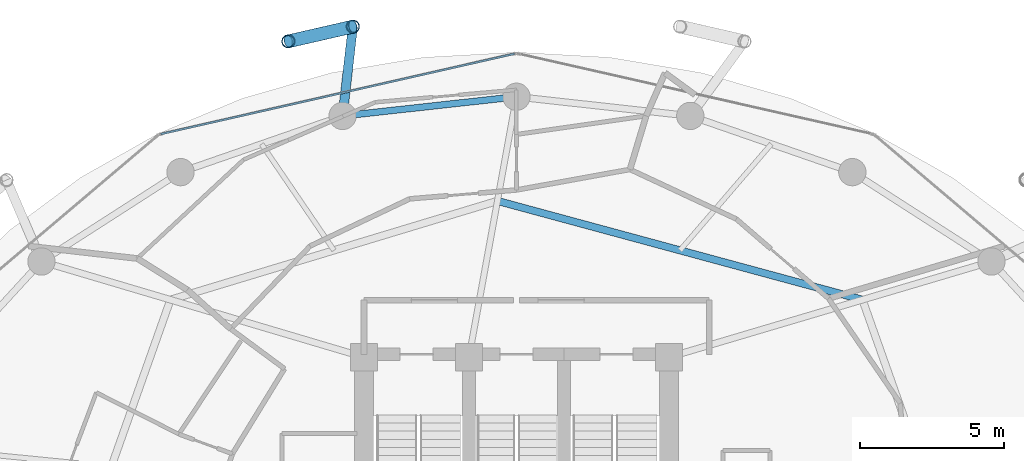
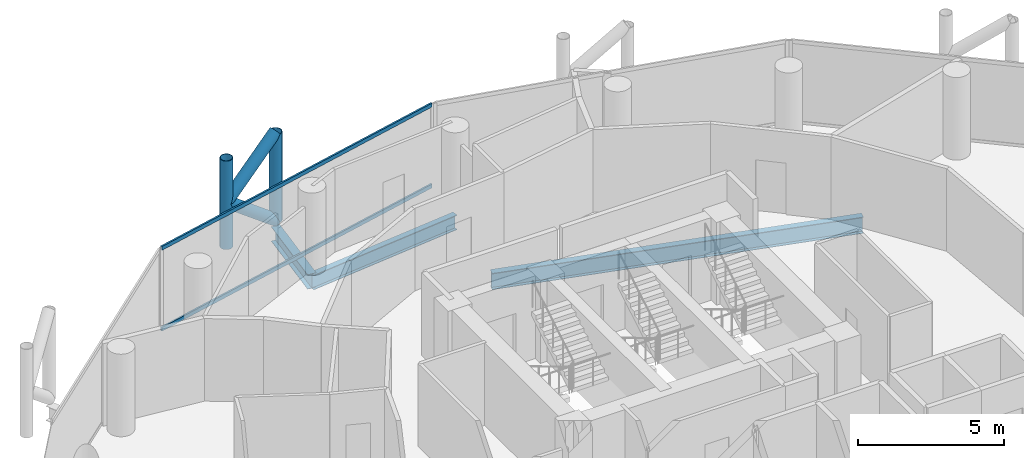
# One storey, part 16 of 26: 6 members, 3 beams, 1 element without a shape of its own.
"""IFC4 building model written with IfcOpenShell, lengths in metres."""

from ifc_helpers import new_model, si_unit, direction, frame, origin, origin_2d, place, context, subcontext, project, spatial, hollow_rectangle, hollow_circle, i_section, extrude, material, layer, layer_set, material_profile, profile_set, type_object, element, aggregate, save


model = new_model("IFC4")

# Units and contexts
model_context = context("Model", 3, precision=1e-05, world=origin(), true_north=direction((0.0, 1.0)))
body_context = subcontext(model_context, "Body", "Model", "MODEL_VIEW")
ifc_project = project(units=[si_unit("LENGTHUNIT", "METRE"), si_unit("AREAUNIT", "SQUARE_METRE"), si_unit("VOLUMEUNIT", "CUBIC_METRE"), si_unit("PLANEANGLEUNIT", "RADIAN"), si_unit("MASSUNIT", "GRAM", prefix="KILO")], contexts=[model_context])

# Site, building, storey
site_placement = place(None, origin())
site = spatial("IfcSite", under=ifc_project, at=site_placement, CompositionType="ELEMENT")
building_placement = place(site_placement, origin())
building = spatial("IfcBuilding", under=site, at=building_placement, Name="Nuhasar Tower", CompositionType="ELEMENT")
storey_placement = place(building_placement, frame((0.0, 0.0, 155.25)))
storey = spatial("IfcBuildingStorey", under=building, at=storey_placement, Name="L37", CompositionType="ELEMENT", Elevation=155.25)

# Beams
ifc_material_1 = material(Name="Steel S355", Category="steel")
ifc_material_profile_1 = material_profile(ifc_material_1, i_section(OverallWidth=0.25390625, OverallDepth=0.68408203125, WebThickness=0.012451171875, FlangeThickness=0.018798828125, at=origin_2d()), Name="W27X94")
ifc_profile_set_1 = profile_set([ifc_material_profile_1], Name="Steel S355")
beam_type_1 = type_object("IfcBeamType", Name="BM-INRING-W27X94", PredefinedType="BEAM", material=ifc_profile_set_1)
beam_1_placement = place(storey_placement, frame((51.027099609375, 39.2939453125, -0.592041015625), z_axis=(-0.96522695776, 0.261413312618, 0.0), x_axis=(-0.261413312618, -0.96522695776, 0.0)))
element("IfcBeam", 1, at=beam_1_placement, inside=storey, type_object=beam_type_1, Name="L37 Inner Header Beam 05", PredefinedType="BEAM", context=body_context, shape_type="SweptSolid", body=[
    extrude(i_section(OverallWidth=0.25390625, OverallDepth=0.68408203125, WebThickness=0.012451171875, FlangeThickness=0.018798828125, at=origin_2d()), origin(), (0.0, 0.0, 1.0), 13.14404296875),
])
ifc_material_profile_2 = material_profile(ifc_material_1, i_section(OverallWidth=0.22998046875, OverallDepth=0.616943359375, WebThickness=0.01318359375, FlangeThickness=0.022216796875, at=origin_2d()), Name="W24X94")
ifc_profile_set_2 = profile_set([ifc_material_profile_2], Name="Steel S355")
beam_type_2 = type_object("IfcBeamType", Name="BM-RING-W24X94", PredefinedType="SPANDREL", material=ifc_profile_set_2)
beam_2_placement = place(storey_placement, frame((39.0, 46.35009765625, -0.55908203125), z_axis=(-0.993981289157, -0.109549974015, 0.0), x_axis=(0.109549974015, -0.993981289157, 0.0)))
element("IfcBeam", 2, at=beam_2_placement, inside=storey, type_object=beam_type_2, Name="L37 Perimeter Ring Spandrel 07", PredefinedType="SPANDREL", context=body_context, shape_type="SweptSolid", body=[
    extrude(i_section(OverallWidth=0.22998046875, OverallDepth=0.616943359375, WebThickness=0.01318359375, FlangeThickness=0.022216796875, at=origin_2d()), origin(), (0.0, 0.0, 1.0), 6.07958984375),
])
ifc_material_profile_3 = material_profile(ifc_material_1, i_section(OverallWidth=0.323974609375, OverallDepth=0.611083984375, WebThickness=0.0126953125, FlangeThickness=0.01904296875, at=origin_2d()), Name="W24X104")
ifc_profile_set_3 = profile_set([ifc_material_profile_3], Name="Steel S355")
beam_type_3 = type_object("IfcBeamType", Name="BM-TIE-W24X104", PredefinedType="BEAM", material=ifc_profile_set_3)
beam_3_placement = place(storey_placement, frame((32.95703125, 45.68408203125, -0.554931640625), z_axis=(0.114167639647, 0.993461499031, 0.0), x_axis=(-0.993461499031, 0.114167639647, 0.0)))
element("IfcBeam", 3, at=beam_3_placement, inside=storey, type_object=beam_type_3, Name="L37 Exoskeleton Node Tie Beam 04", PredefinedType="BEAM", context=body_context, shape_type="SweptSolid", body=[
    extrude(i_section(OverallWidth=0.323974609375, OverallDepth=0.611083984375, WebThickness=0.0126953125, FlangeThickness=0.01904296875, at=origin_2d()), origin(), (0.0, 0.0, 1.0), 3.12646484375),
])

# Curtain wall, members
ifc_material_2 = material(Name="Aluminium 6063-T6", Category="aluminium")
ifc_layer = layer(ifc_material_2, 0.199951171875)
ifc_layer_set = layer_set([ifc_layer], Name="Aluminium 6063-T6")
curtain_wall_type = type_object("IfcCurtainWallType", Name="CW-Z2-HTL", PredefinedType="NOTDEFINED", material=ifc_layer_set)
curtain_wall_placement = place(storey_placement, origin())
curtain_wall = element("IfcCurtainWall", 4, at=curtain_wall_placement, inside=storey, type_object=curtain_wall_type, Name="L37 Unitised Curtain Wall 04", PredefinedType="NOTDEFINED")
ifc_material_profile_4 = material_profile(ifc_material_2, hollow_rectangle(XDim=0.070068359375, YDim=0.159912109375, WallThickness=0.00439453125, at=origin_2d()), Name="CWT-3")
ifc_profile_set_4 = profile_set([ifc_material_profile_4], Name="Aluminium 6063-T6")
member_type_1 = type_object("IfcMemberType", Name="CW-TRN-S3", PredefinedType="USERDEFINED", material=ifc_profile_set_4)
member_1_placement = place(storey_placement, frame((38.931640625, 47.844482421875, 0.034912109375), z_axis=(-0.975183434528, -0.221398439519, 0.0), x_axis=(0.221398439519, -0.975183434528, 0.0)))
member_1 = element("IfcMember", 5, at=member_1_placement, type_object=member_type_1, Name="CW-Z2 transom 1.1", ObjectType="TRANSOM", PredefinedType="USERDEFINED", context=body_context, shape_type="SweptSolid", body=[
    extrude(hollow_rectangle(XDim=0.070068359375, YDim=0.159912109375, WallThickness=0.00439453125, at=origin_2d()), origin(), (0.0, 0.0, 1.0), 12.606201171875),
])
member_2_placement = place(storey_placement, frame((38.931640625, 47.844482421875, 3.4150390625), z_axis=(-0.975183434528, -0.221398439519, 0.0), x_axis=(0.221398439519, -0.975183434528, 0.0)))
member_2 = element("IfcMember", 6, at=member_2_placement, type_object=member_type_1, Name="CW-Z2 transom 1.2", ObjectType="TRANSOM", PredefinedType="USERDEFINED", context=body_context, shape_type="SweptSolid", body=[
    extrude(hollow_rectangle(XDim=0.070068359375, YDim=0.159912109375, WallThickness=0.00439453125, at=origin_2d()), origin(), (0.0, 0.0, 1.0), 12.606201171875),
])
aggregate(curtain_wall, [member_1, member_2])

# Members
ifc_material_3 = material(Name="Steel S460", Category="steel")
ifc_material_profile_5 = material_profile(ifc_material_3, hollow_circle(Radius=0.228515625, WallThickness=0.022216796875, at=origin_2d()), Name="HSS457X22.2")
ifc_profile_set_5 = profile_set([ifc_material_profile_5], Name="Steel S460")
member_type_2 = type_object("IfcMemberType", Name="EXO-BRONZE-457", PredefinedType="BRACE", material=ifc_profile_set_5)
for number, where, z_axis, x_axis, name in (
    (7, (33.31396484375, 48.7900390625, 0.0), (0.0, 0.0, 1.0), (1.0, 0.0, 0.0), "L37 Exoskeleton Chord Column EC-04A"),
    (8, (31.072021484375, 48.27587890625, 0.0), (0.0, 0.0, 1.0), (1.0, 0.0, 0.0), "L37 Exoskeleton Chord Column EC-04B"),
):
    element("IfcMember", number, at=place(storey_placement, frame(where, z_axis=z_axis, x_axis=x_axis)), inside=storey, type_object=member_type_2, Name=name, PredefinedType="BRACE", context=body_context, shape_type="SweptSolid", body=[
        extrude(hollow_circle(Radius=0.228515625, WallThickness=0.022216796875, at=origin_2d()), origin(), (0.0, 0.0, 1.0), 3.699951171875),
    ])
member_3_placement = place(storey_placement, frame((33.31396484375, 48.7900390625, 0.0), z_axis=(-0.759499549084, -0.174181209885, 0.626754609927), x_axis=(0.223533724104, -0.974696195842, 0.0)))
element("IfcMember", 9, at=member_3_placement, inside=storey, type_object=member_type_2, Name="L37 Bronze Diagrid Brace W1-04", PredefinedType="BRACE", context=body_context, shape_type="SweptSolid", body=[
    extrude(hollow_circle(Radius=0.228515625, WallThickness=0.022216796875, at=origin_2d()), origin(), (0.0, 0.0, 1.0), 2.951904296875),
])
member_4_placement = place(storey_placement, frame((31.072021484375, 48.27587890625, 1.85009765625), z_axis=(0.759538919781, 0.174190239035, 0.626704388019), x_axis=(-0.223533724104, 0.974696195842, 0.0)))
element("IfcMember", 10, at=member_4_placement, inside=storey, type_object=member_type_2, Name="L37 Bronze Diagrid Brace W2-04", PredefinedType="BRACE", context=body_context, shape_type="SweptSolid", body=[
    extrude(hollow_circle(Radius=0.228515625, WallThickness=0.022216796875, at=origin_2d()), origin(), (0.0, 0.0, 1.0), 2.95166015625),
])

save(model, "model.ifc")
